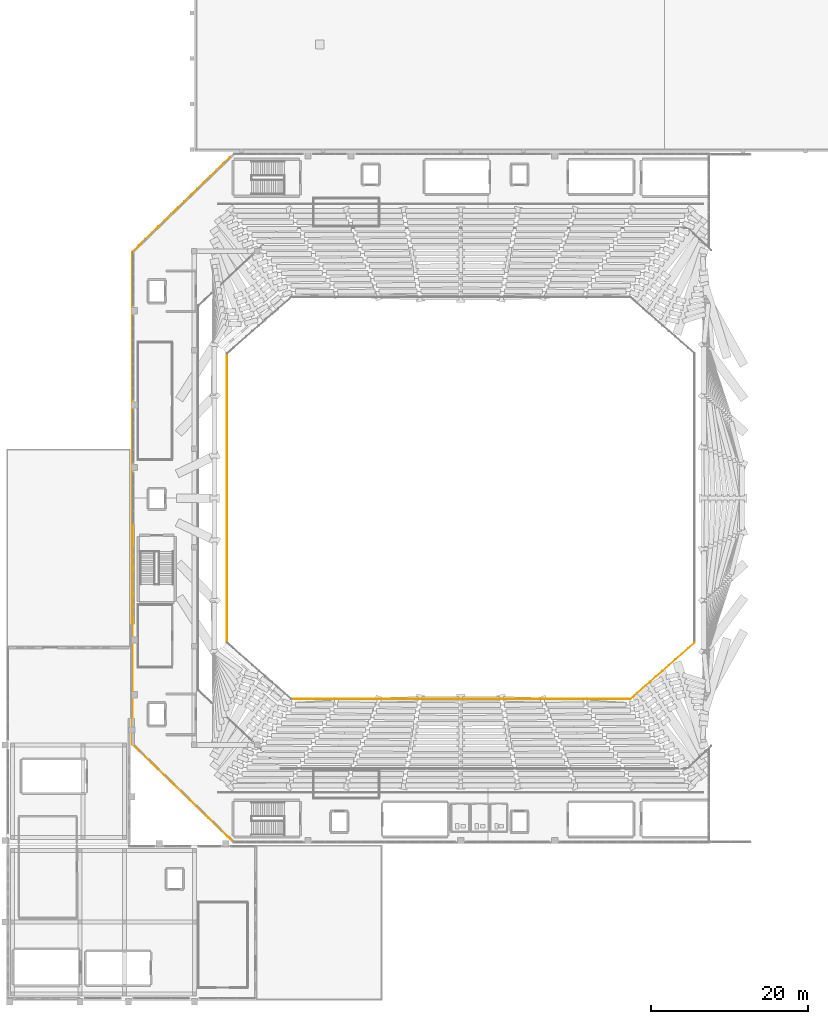
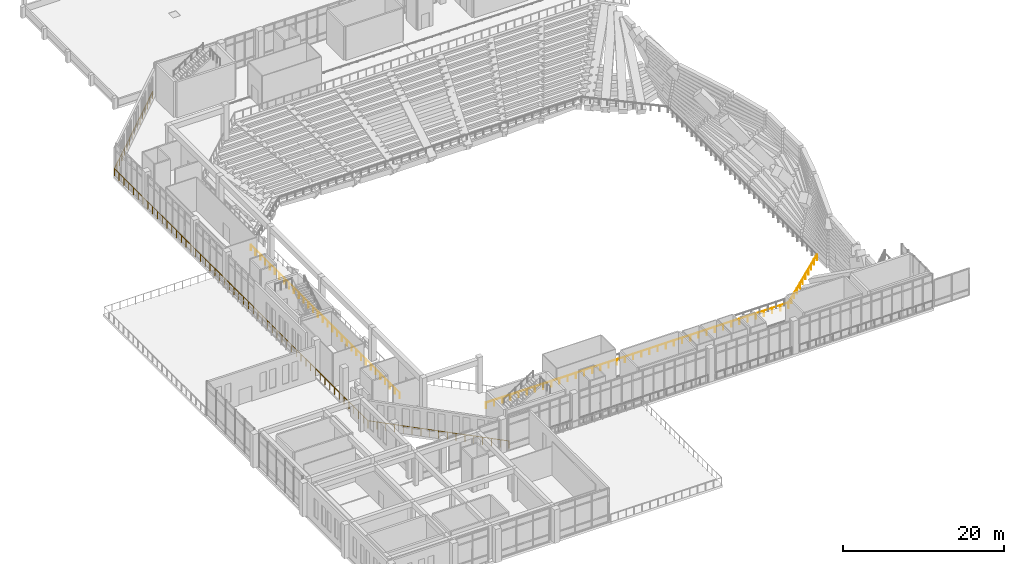
# One storey, part 52 of 55: 4 railings.
"""IFC4 building model written with IfcOpenShell, lengths in metres."""

from ifc_helpers import new_model, si_unit, derived_unit, direction, frame, origin, origin_2d, place, context, subcontext, project, spatial, circle, extrude, material, type_object, element, save


model = new_model("IFC4")

# Units and contexts
model_context = context("Model", 3, precision=1e-05, world=origin(), true_north=direction((0.0, 1.0)))
body_context = subcontext(model_context, "Body", "Model", "MODEL_VIEW")
ifc_project = project(units=[si_unit("LENGTHUNIT", "METRE"), si_unit("AREAUNIT", "SQUARE_METRE"), si_unit("VOLUMEUNIT", "CUBIC_METRE"), si_unit("PLANEANGLEUNIT", "RADIAN"), si_unit("MASSUNIT", "GRAM", prefix="KILO"), derived_unit("THERMALTRANSMITTANCEUNIT", [(si_unit("MASSUNIT", "GRAM", prefix="KILO"), 1), (si_unit("TIMEUNIT", "SECOND"), -3), (si_unit("THERMODYNAMICTEMPERATUREUNIT", "KELVIN"), -1)])], contexts=[model_context])

# Site, building, storey
site_placement = place(None, origin())
site = spatial("IfcSite", under=ifc_project, at=site_placement, CompositionType="ELEMENT")
building_placement = place(site_placement, origin())
building = spatial("IfcBuilding", under=site, at=building_placement, Name="Valcora Ridge Arena", CompositionType="ELEMENT")
storey_placement = place(building_placement, frame((0.0, 0.0, 21.0)))
storey = spatial("IfcBuildingStorey", under=building, at=storey_placement, Name="L04", CompositionType="ELEMENT", Elevation=21.0)

# Railings
ifc_material = material(Name="Galvanized painted steel ASTM A500 Grade B", Category="steel")
railing_type_1 = type_object("IfcRailingType", Name="TY-RAILING-BAL-BOWL-850", PredefinedType="BALUSTRADE", material=ifc_material)
railing_1_placement = place(storey_placement, frame((36.35009765625, 38.449951171875, -7.60009765625)))
element("IfcRailing", 1, at=railing_1_placement, inside=storey, type_object=railing_type_1, Name="BAL-BOWL-850 RAL-BW-0017", PredefinedType="BALUSTRADE", context=body_context, shape_type="SweptSolid", body=[
    extrude(circle(Radius=0.02392578125, at=origin_2d()), frame((0.0, 0.0, 0.826171875), z_axis=(1.0, 0.0, 0.0), x_axis=(0.0, 1.0, 0.0)), (0.0, 0.0, 1.0), 43.2998046875),
    extrude(circle(Radius=0.02099609375, at=origin_2d()), origin(), (0.0, 0.0, 1.0), 0.802001953125),
    extrude(circle(Radius=0.02099609375, at=origin_2d()), frame((1.170166015625, 0.0, 0.0)), (0.0, 0.0, 1.0), 0.802001953125),
    extrude(circle(Radius=0.02099609375, at=origin_2d()), frame((2.340576171875, 0.0, 0.0)), (0.0, 0.0, 1.0), 0.802001953125),
    extrude(circle(Radius=0.02099609375, at=origin_2d()), frame((3.5107421875, 0.0, 0.0)), (0.0, 0.0, 1.0), 0.802001953125),
    extrude(circle(Radius=0.02099609375, at=origin_2d()), frame((4.68115234375, 0.0, 0.0)), (0.0, 0.0, 1.0), 0.802001953125),
    extrude(circle(Radius=0.02099609375, at=origin_2d()), frame((5.851318359375, 0.0, 0.0)), (0.0, 0.0, 1.0), 0.802001953125),
    extrude(circle(Radius=0.02099609375, at=origin_2d()), frame((7.021484375, 0.0, 0.0)), (0.0, 0.0, 1.0), 0.802001953125),
    extrude(circle(Radius=0.02099609375, at=origin_2d()), frame((8.19189453125, 0.0, 0.0)), (0.0, 0.0, 1.0), 0.802001953125),
    extrude(circle(Radius=0.02099609375, at=origin_2d()), frame((9.362060546875, 0.0, 0.0)), (0.0, 0.0, 1.0), 0.802001953125),
    extrude(circle(Radius=0.02099609375, at=origin_2d()), frame((10.532470703125, 0.0, 0.0)), (0.0, 0.0, 1.0), 0.802001953125),
    extrude(circle(Radius=0.02099609375, at=origin_2d()), frame((11.70263671875, 0.0, 0.0)), (0.0, 0.0, 1.0), 0.802001953125),
    extrude(circle(Radius=0.02099609375, at=origin_2d()), frame((12.872802734375, 0.0, 0.0)), (0.0, 0.0, 1.0), 0.802001953125),
    extrude(circle(Radius=0.02099609375, at=origin_2d()), frame((14.043212890625, 0.0, 0.0)), (0.0, 0.0, 1.0), 0.802001953125),
    extrude(circle(Radius=0.02099609375, at=origin_2d()), frame((15.21337890625, 0.0, 0.0)), (0.0, 0.0, 1.0), 0.802001953125),
    extrude(circle(Radius=0.02099609375, at=origin_2d()), frame((16.3837890625, 0.0, 0.0)), (0.0, 0.0, 1.0), 0.802001953125),
    extrude(circle(Radius=0.02099609375, at=origin_2d()), frame((17.553955078125, 0.0, 0.0)), (0.0, 0.0, 1.0), 0.802001953125),
    extrude(circle(Radius=0.02099609375, at=origin_2d()), frame((18.72412109375, 0.0, 0.0)), (0.0, 0.0, 1.0), 0.802001953125),
    extrude(circle(Radius=0.02099609375, at=origin_2d()), frame((19.89453125, 0.0, 0.0)), (0.0, 0.0, 1.0), 0.802001953125),
    extrude(circle(Radius=0.02099609375, at=origin_2d()), frame((21.064697265625, 0.0, 0.0)), (0.0, 0.0, 1.0), 0.802001953125),
    extrude(circle(Radius=0.02099609375, at=origin_2d()), frame((22.235107421875, 0.0, 0.0)), (0.0, 0.0, 1.0), 0.802001953125),
    extrude(circle(Radius=0.02099609375, at=origin_2d()), frame((23.4052734375, 0.0, 0.0)), (0.0, 0.0, 1.0), 0.802001953125),
    extrude(circle(Radius=0.02099609375, at=origin_2d()), frame((24.57568359375, 0.0, 0.0)), (0.0, 0.0, 1.0), 0.802001953125),
    extrude(circle(Radius=0.02099609375, at=origin_2d()), frame((25.745849609375, 0.0, 0.0)), (0.0, 0.0, 1.0), 0.802001953125),
    extrude(circle(Radius=0.02099609375, at=origin_2d()), frame((26.916015625, 0.0, 0.0)), (0.0, 0.0, 1.0), 0.802001953125),
    extrude(circle(Radius=0.02099609375, at=origin_2d()), frame((28.08642578125, 0.0, 0.0)), (0.0, 0.0, 1.0), 0.802001953125),
    extrude(circle(Radius=0.02099609375, at=origin_2d()), frame((29.256591796875, 0.0, 0.0)), (0.0, 0.0, 1.0), 0.802001953125),
    extrude(circle(Radius=0.02099609375, at=origin_2d()), frame((30.427001953125, 0.0, 0.0)), (0.0, 0.0, 1.0), 0.802001953125),
    extrude(circle(Radius=0.02099609375, at=origin_2d()), frame((31.59716796875, 0.0, 0.0)), (0.0, 0.0, 1.0), 0.802001953125),
    extrude(circle(Radius=0.02099609375, at=origin_2d()), frame((32.767333984375, 0.0, 0.0)), (0.0, 0.0, 1.0), 0.802001953125),
    extrude(circle(Radius=0.02099609375, at=origin_2d()), frame((33.937744140625, 0.0, 0.0)), (0.0, 0.0, 1.0), 0.802001953125),
    extrude(circle(Radius=0.02099609375, at=origin_2d()), frame((35.10791015625, 0.0, 0.0)), (0.0, 0.0, 1.0), 0.802001953125),
    extrude(circle(Radius=0.02099609375, at=origin_2d()), frame((36.2783203125, 0.0, 0.0)), (0.0, 0.0, 1.0), 0.802001953125),
    extrude(circle(Radius=0.02099609375, at=origin_2d()), frame((37.448486328125, 0.0, 0.0)), (0.0, 0.0, 1.0), 0.802001953125),
    extrude(circle(Radius=0.02099609375, at=origin_2d()), frame((38.61865234375, 0.0, 0.0)), (0.0, 0.0, 1.0), 0.802001953125),
    extrude(circle(Radius=0.02099609375, at=origin_2d()), frame((39.7890625, 0.0, 0.0)), (0.0, 0.0, 1.0), 0.802001953125),
    extrude(circle(Radius=0.02099609375, at=origin_2d()), frame((40.959228515625, 0.0, 0.0)), (0.0, 0.0, 1.0), 0.802001953125),
    extrude(circle(Radius=0.02099609375, at=origin_2d()), frame((42.129638671875, 0.0, 0.0)), (0.0, 0.0, 1.0), 0.802001953125),
    extrude(circle(Radius=0.02099609375, at=origin_2d()), frame((43.2998046875, 0.0, 0.0)), (0.0, 0.0, 1.0), 0.802001953125),
])
railing_2_placement = place(storey_placement, frame((79.64990234375, 38.449951171875, -7.60009765625)))
element("IfcRailing", 2, at=railing_2_placement, inside=storey, type_object=railing_type_1, Name="BAL-BOWL-850 RAL-BW-0018", PredefinedType="BALUSTRADE", context=body_context, shape_type="SweptSolid", body=[
    extrude(circle(Radius=0.02392578125, at=origin_2d()), frame((0.0, 0.0, 0.826171875), z_axis=(0.751450235134, 0.659789772667, 0.0), x_axis=(-0.659789772667, 0.751450235134, 0.0)), (0.0, 0.0, 1.0), 10.91259765625),
    extrude(circle(Radius=0.02099609375, at=origin_2d()), origin(), (0.0, 0.0, 1.0), 0.802001953125),
    extrude(circle(Radius=0.02099609375, at=origin_2d()), frame((0.820068359375, 0.719970703125, 0.0)), (0.0, 0.0, 1.0), 0.802001953125),
    extrude(circle(Radius=0.02099609375, at=origin_2d()), frame((1.64013671875, 1.43994140625, 0.0)), (0.0, 0.0, 1.0), 0.802001953125),
    extrude(circle(Radius=0.02099609375, at=origin_2d()), frame((2.4599609375, 2.159912109375, 0.0)), (0.0, 0.0, 1.0), 0.802001953125),
    extrude(circle(Radius=0.02099609375, at=origin_2d()), frame((3.280029296875, 2.8798828125, 0.0)), (0.0, 0.0, 1.0), 0.802001953125),
    extrude(circle(Radius=0.02099609375, at=origin_2d()), frame((4.10009765625, 3.60009765625, 0.0)), (0.0, 0.0, 1.0), 0.802001953125),
    extrude(circle(Radius=0.02099609375, at=origin_2d()), frame((4.920166015625, 4.320068359375, 0.0)), (0.0, 0.0, 1.0), 0.802001953125),
    extrude(circle(Radius=0.02099609375, at=origin_2d()), frame((5.740234375, 5.0400390625, 0.0)), (0.0, 0.0, 1.0), 0.802001953125),
    extrude(circle(Radius=0.02099609375, at=origin_2d()), frame((6.56005859375, 5.760009765625, 0.0)), (0.0, 0.0, 1.0), 0.802001953125),
    extrude(circle(Radius=0.02099609375, at=origin_2d()), frame((7.380126953125, 6.47998046875, 0.0)), (0.0, 0.0, 1.0), 0.802001953125),
    extrude(circle(Radius=0.02099609375, at=origin_2d()), frame((8.2001953125, 7.199951171875, 0.0)), (0.0, 0.0, 1.0), 0.802001953125),
])
railing_3_placement = place(storey_placement, frame((28.14990234375, 82.550048828125, -7.60009765625)))
element("IfcRailing", 3, at=railing_3_placement, inside=storey, type_object=railing_type_1, Name="BAL-BOWL-850 RAL-BW-0023", PredefinedType="BALUSTRADE", context=body_context, shape_type="SweptSolid", body=[
    extrude(circle(Radius=0.02392578125, at=origin_2d()), frame((0.0, 0.0, 0.826171875), z_axis=(0.0, -1.0, 0.0), x_axis=(1.0, 0.0, 0.0)), (0.0, 0.0, 1.0), 36.900146484375),
    extrude(circle(Radius=0.02099609375, at=origin_2d()), origin(), (0.0, 0.0, 1.0), 0.802001953125),
    extrude(circle(Radius=0.02099609375, at=origin_2d()), frame((0.0, -1.1904296875, 0.0)), (0.0, 0.0, 1.0), 0.802001953125),
    extrude(circle(Radius=0.02099609375, at=origin_2d()), frame((0.0, -2.380615234375, 0.0)), (0.0, 0.0, 1.0), 0.802001953125),
    extrude(circle(Radius=0.02099609375, at=origin_2d()), frame((0.0, -3.571044921875, 0.0)), (0.0, 0.0, 1.0), 0.802001953125),
    extrude(circle(Radius=0.02099609375, at=origin_2d()), frame((0.0, -4.76123046875, 0.0)), (0.0, 0.0, 1.0), 0.802001953125),
    extrude(circle(Radius=0.02099609375, at=origin_2d()), frame((0.0, -5.95166015625, 0.0)), (0.0, 0.0, 1.0), 0.802001953125),
    extrude(circle(Radius=0.02099609375, at=origin_2d()), frame((0.0, -7.141845703125, 0.0)), (0.0, 0.0, 1.0), 0.802001953125),
    extrude(circle(Radius=0.02099609375, at=origin_2d()), frame((0.0, -8.332275390625, 0.0)), (0.0, 0.0, 1.0), 0.802001953125),
    extrude(circle(Radius=0.02099609375, at=origin_2d()), frame((0.0, -9.522705078125, 0.0)), (0.0, 0.0, 1.0), 0.802001953125),
    extrude(circle(Radius=0.02099609375, at=origin_2d()), frame((0.0, -10.712890625, 0.0)), (0.0, 0.0, 1.0), 0.802001953125),
    extrude(circle(Radius=0.02099609375, at=origin_2d()), frame((0.0, -11.9033203125, 0.0)), (0.0, 0.0, 1.0), 0.802001953125),
    extrude(circle(Radius=0.02099609375, at=origin_2d()), frame((0.0, -13.093505859375, 0.0)), (0.0, 0.0, 1.0), 0.802001953125),
    extrude(circle(Radius=0.02099609375, at=origin_2d()), frame((0.0, -14.283935546875, 0.0)), (0.0, 0.0, 1.0), 0.802001953125),
    extrude(circle(Radius=0.02099609375, at=origin_2d()), frame((0.0, -15.474365234375, 0.0)), (0.0, 0.0, 1.0), 0.802001953125),
    extrude(circle(Radius=0.02099609375, at=origin_2d()), frame((0.0, -16.66455078125, 0.0)), (0.0, 0.0, 1.0), 0.802001953125),
    extrude(circle(Radius=0.02099609375, at=origin_2d()), frame((0.0, -17.85498046875, 0.0)), (0.0, 0.0, 1.0), 0.802001953125),
    extrude(circle(Radius=0.02099609375, at=origin_2d()), frame((0.0, -19.045166015625, 0.0)), (0.0, 0.0, 1.0), 0.802001953125),
    extrude(circle(Radius=0.02099609375, at=origin_2d()), frame((0.0, -20.235595703125, 0.0)), (0.0, 0.0, 1.0), 0.802001953125),
    extrude(circle(Radius=0.02099609375, at=origin_2d()), frame((0.0, -21.42578125, 0.0)), (0.0, 0.0, 1.0), 0.802001953125),
    extrude(circle(Radius=0.02099609375, at=origin_2d()), frame((0.0, -22.6162109375, 0.0)), (0.0, 0.0, 1.0), 0.802001953125),
    extrude(circle(Radius=0.02099609375, at=origin_2d()), frame((0.0, -23.806640625, 0.0)), (0.0, 0.0, 1.0), 0.802001953125),
    extrude(circle(Radius=0.02099609375, at=origin_2d()), frame((0.0, -24.996826171875, 0.0)), (0.0, 0.0, 1.0), 0.802001953125),
    extrude(circle(Radius=0.02099609375, at=origin_2d()), frame((0.0, -26.187255859375, 0.0)), (0.0, 0.0, 1.0), 0.802001953125),
    extrude(circle(Radius=0.02099609375, at=origin_2d()), frame((0.0, -27.37744140625, 0.0)), (0.0, 0.0, 1.0), 0.802001953125),
    extrude(circle(Radius=0.02099609375, at=origin_2d()), frame((0.0, -28.56787109375, 0.0)), (0.0, 0.0, 1.0), 0.802001953125),
    extrude(circle(Radius=0.02099609375, at=origin_2d()), frame((0.0, -29.75830078125, 0.0)), (0.0, 0.0, 1.0), 0.802001953125),
    extrude(circle(Radius=0.02099609375, at=origin_2d()), frame((0.0, -30.948486328125, 0.0)), (0.0, 0.0, 1.0), 0.802001953125),
    extrude(circle(Radius=0.02099609375, at=origin_2d()), frame((0.0, -32.138916015625, 0.0)), (0.0, 0.0, 1.0), 0.802001953125),
    extrude(circle(Radius=0.02099609375, at=origin_2d()), frame((0.0, -33.3291015625, 0.0)), (0.0, 0.0, 1.0), 0.802001953125),
    extrude(circle(Radius=0.02099609375, at=origin_2d()), frame((0.0, -34.51953125, 0.0)), (0.0, 0.0, 1.0), 0.802001953125),
    extrude(circle(Radius=0.02099609375, at=origin_2d()), frame((0.0, -35.709716796875, 0.0)), (0.0, 0.0, 1.0), 0.802001953125),
    extrude(circle(Radius=0.02099609375, at=origin_2d()), frame((0.0, -36.900146484375, 0.0)), (0.0, 0.0, 1.0), 0.802001953125),
])
railing_type_2 = type_object("IfcRailingType", Name="TY-RAILING-GRD-VOID-1120", PredefinedType="GUARDRAIL", material=ifc_material)
railing_4_placement = place(storey_placement, frame((29.048583984375, 20.1201171875, 0.0)))
element("IfcRailing", 4, at=railing_4_placement, inside=storey, type_object=railing_type_2, Name="GRD-VOID-1120 RAL-DK-0013", PredefinedType="GUARDRAIL", context=body_context, shape_type="SweptSolid", body=[
    extrude(circle(Radius=0.02392578125, at=origin_2d()), frame((0.0, 0.0, 1.09619140625), z_axis=(-0.718065068839, 0.695975974379, 0.0), x_axis=(-0.695975974379, -0.718065068839, 0.0)), (0.0, 0.0, 1.0), 18.004638671875),
    extrude(circle(Radius=0.02392578125, at=origin_2d()), frame((-12.928466796875, 12.53076171875, 1.09619140625), z_axis=(0.0, 1.0, 0.0), x_axis=(-1.0, 0.0, 0.0)), (0.0, 0.0, 1.0), 62.8984375),
    extrude(circle(Radius=0.02392578125, at=origin_2d()), frame((-12.928466796875, 75.42919921875, 1.09619140625), z_axis=(0.718067783655, 0.695973173389, 0.0), x_axis=(-0.695973173389, 0.718067783655, 0.0)), (0.0, 0.0, 1.0), 17.31494140625),
    extrude(circle(Radius=0.02099609375, at=origin_2d()), origin(), (0.0, 0.0, 1.0), 1.072021484375),
    extrude(circle(Radius=0.02099609375, at=origin_2d()), frame((-0.80810546875, 0.783203125, 0.0)), (0.0, 0.0, 1.0), 1.072021484375),
    extrude(circle(Radius=0.02099609375, at=origin_2d()), frame((-1.615966796875, 1.56640625, 0.0)), (0.0, 0.0, 1.0), 1.072021484375),
    extrude(circle(Radius=0.02099609375, at=origin_2d()), frame((-2.424072265625, 2.349609375, 0.0)), (0.0, 0.0, 1.0), 1.072021484375),
    extrude(circle(Radius=0.02099609375, at=origin_2d()), frame((-3.232177734375, 3.1328125, 0.0)), (0.0, 0.0, 1.0), 1.072021484375),
    extrude(circle(Radius=0.02099609375, at=origin_2d()), frame((-4.0400390625, 3.915771484375, 0.0)), (0.0, 0.0, 1.0), 1.072021484375),
    extrude(circle(Radius=0.02099609375, at=origin_2d()), frame((-4.84814453125, 4.698974609375, 0.0)), (0.0, 0.0, 1.0), 1.072021484375),
    extrude(circle(Radius=0.02099609375, at=origin_2d()), frame((-5.65625, 5.482177734375, 0.0)), (0.0, 0.0, 1.0), 1.072021484375),
    extrude(circle(Radius=0.02099609375, at=origin_2d()), frame((-6.46435546875, 6.265380859375, 0.0)), (0.0, 0.0, 1.0), 1.072021484375),
    extrude(circle(Radius=0.02099609375, at=origin_2d()), frame((-7.272216796875, 7.048583984375, 0.0)), (0.0, 0.0, 1.0), 1.072021484375),
    extrude(circle(Radius=0.02099609375, at=origin_2d()), frame((-8.080322265625, 7.831787109375, 0.0)), (0.0, 0.0, 1.0), 1.072021484375),
    extrude(circle(Radius=0.02099609375, at=origin_2d()), frame((-8.888427734375, 8.614990234375, 0.0)), (0.0, 0.0, 1.0), 1.072021484375),
    extrude(circle(Radius=0.02099609375, at=origin_2d()), frame((-9.6962890625, 9.39794921875, 0.0)), (0.0, 0.0, 1.0), 1.072021484375),
    extrude(circle(Radius=0.02099609375, at=origin_2d()), frame((-10.50439453125, 10.18115234375, 0.0)), (0.0, 0.0, 1.0), 1.072021484375),
    extrude(circle(Radius=0.02099609375, at=origin_2d()), frame((-11.3125, 10.96435546875, 0.0)), (0.0, 0.0, 1.0), 1.072021484375),
    extrude(circle(Radius=0.02099609375, at=origin_2d()), frame((-12.120361328125, 11.74755859375, 0.0)), (0.0, 0.0, 1.0), 1.072021484375),
    extrude(circle(Radius=0.02099609375, at=origin_2d()), frame((-12.928466796875, 12.53076171875, 0.0)), (0.0, 0.0, 1.0), 1.072021484375),
    extrude(circle(Radius=0.02099609375, at=origin_2d()), frame((-12.928466796875, 13.717529296875, 0.0)), (0.0, 0.0, 1.0), 1.072021484375),
    extrude(circle(Radius=0.02099609375, at=origin_2d()), frame((-12.928466796875, 14.904296875, 0.0)), (0.0, 0.0, 1.0), 1.072021484375),
    extrude(circle(Radius=0.02099609375, at=origin_2d()), frame((-12.928466796875, 16.091064453125, 0.0)), (0.0, 0.0, 1.0), 1.072021484375),
    extrude(circle(Radius=0.02099609375, at=origin_2d()), frame((-12.928466796875, 17.27783203125, 0.0)), (0.0, 0.0, 1.0), 1.072021484375),
    extrude(circle(Radius=0.02099609375, at=origin_2d()), frame((-12.928466796875, 18.464599609375, 0.0)), (0.0, 0.0, 1.0), 1.072021484375),
    extrude(circle(Radius=0.02099609375, at=origin_2d()), frame((-12.928466796875, 19.6513671875, 0.0)), (0.0, 0.0, 1.0), 1.072021484375),
    extrude(circle(Radius=0.02099609375, at=origin_2d()), frame((-12.928466796875, 20.838134765625, 0.0)), (0.0, 0.0, 1.0), 1.072021484375),
    extrude(circle(Radius=0.02099609375, at=origin_2d()), frame((-12.928466796875, 22.02490234375, 0.0)), (0.0, 0.0, 1.0), 1.072021484375),
    extrude(circle(Radius=0.02099609375, at=origin_2d()), frame((-12.928466796875, 23.211669921875, 0.0)), (0.0, 0.0, 1.0), 1.072021484375),
    extrude(circle(Radius=0.02099609375, at=origin_2d()), frame((-12.928466796875, 24.3984375, 0.0)), (0.0, 0.0, 1.0), 1.072021484375),
    extrude(circle(Radius=0.02099609375, at=origin_2d()), frame((-12.928466796875, 25.585205078125, 0.0)), (0.0, 0.0, 1.0), 1.072021484375),
    extrude(circle(Radius=0.02099609375, at=origin_2d()), frame((-12.928466796875, 26.77197265625, 0.0)), (0.0, 0.0, 1.0), 1.072021484375),
    extrude(circle(Radius=0.02099609375, at=origin_2d()), frame((-12.928466796875, 27.958740234375, 0.0)), (0.0, 0.0, 1.0), 1.072021484375),
    extrude(circle(Radius=0.02099609375, at=origin_2d()), frame((-12.928466796875, 29.1455078125, 0.0)), (0.0, 0.0, 1.0), 1.072021484375),
    extrude(circle(Radius=0.02099609375, at=origin_2d()), frame((-12.928466796875, 30.332275390625, 0.0)), (0.0, 0.0, 1.0), 1.072021484375),
    extrude(circle(Radius=0.02099609375, at=origin_2d()), frame((-12.928466796875, 31.51904296875, 0.0)), (0.0, 0.0, 1.0), 1.072021484375),
    extrude(circle(Radius=0.02099609375, at=origin_2d()), frame((-12.928466796875, 32.705810546875, 0.0)), (0.0, 0.0, 1.0), 1.072021484375),
    extrude(circle(Radius=0.02099609375, at=origin_2d()), frame((-12.928466796875, 33.892578125, 0.0)), (0.0, 0.0, 1.0), 1.072021484375),
    extrude(circle(Radius=0.02099609375, at=origin_2d()), frame((-12.928466796875, 35.079345703125, 0.0)), (0.0, 0.0, 1.0), 1.072021484375),
    extrude(circle(Radius=0.02099609375, at=origin_2d()), frame((-12.928466796875, 36.26611328125, 0.0)), (0.0, 0.0, 1.0), 1.072021484375),
    extrude(circle(Radius=0.02099609375, at=origin_2d()), frame((-12.928466796875, 37.452880859375, 0.0)), (0.0, 0.0, 1.0), 1.072021484375),
    extrude(circle(Radius=0.02099609375, at=origin_2d()), frame((-12.928466796875, 38.6396484375, 0.0)), (0.0, 0.0, 1.0), 1.072021484375),
    extrude(circle(Radius=0.02099609375, at=origin_2d()), frame((-12.928466796875, 39.826416015625, 0.0)), (0.0, 0.0, 1.0), 1.072021484375),
    extrude(circle(Radius=0.02099609375, at=origin_2d()), frame((-12.928466796875, 41.01318359375, 0.0)), (0.0, 0.0, 1.0), 1.072021484375),
    extrude(circle(Radius=0.02099609375, at=origin_2d()), frame((-12.928466796875, 42.199951171875, 0.0)), (0.0, 0.0, 1.0), 1.072021484375),
    extrude(circle(Radius=0.02099609375, at=origin_2d()), frame((-12.928466796875, 43.38671875, 0.0)), (0.0, 0.0, 1.0), 1.072021484375),
    extrude(circle(Radius=0.02099609375, at=origin_2d()), frame((-12.928466796875, 44.5732421875, 0.0)), (0.0, 0.0, 1.0), 1.072021484375),
    extrude(circle(Radius=0.02099609375, at=origin_2d()), frame((-12.928466796875, 45.760009765625, 0.0)), (0.0, 0.0, 1.0), 1.072021484375),
    extrude(circle(Radius=0.02099609375, at=origin_2d()), frame((-12.928466796875, 46.94677734375, 0.0)), (0.0, 0.0, 1.0), 1.072021484375),
    extrude(circle(Radius=0.02099609375, at=origin_2d()), frame((-12.928466796875, 48.133544921875, 0.0)), (0.0, 0.0, 1.0), 1.072021484375),
    extrude(circle(Radius=0.02099609375, at=origin_2d()), frame((-12.928466796875, 49.3203125, 0.0)), (0.0, 0.0, 1.0), 1.072021484375),
    extrude(circle(Radius=0.02099609375, at=origin_2d()), frame((-12.928466796875, 50.507080078125, 0.0)), (0.0, 0.0, 1.0), 1.072021484375),
    extrude(circle(Radius=0.02099609375, at=origin_2d()), frame((-12.928466796875, 51.69384765625, 0.0)), (0.0, 0.0, 1.0), 1.072021484375),
    extrude(circle(Radius=0.02099609375, at=origin_2d()), frame((-12.928466796875, 52.880615234375, 0.0)), (0.0, 0.0, 1.0), 1.072021484375),
    extrude(circle(Radius=0.02099609375, at=origin_2d()), frame((-12.928466796875, 54.0673828125, 0.0)), (0.0, 0.0, 1.0), 1.072021484375),
    extrude(circle(Radius=0.02099609375, at=origin_2d()), frame((-12.928466796875, 55.254150390625, 0.0)), (0.0, 0.0, 1.0), 1.072021484375),
    extrude(circle(Radius=0.02099609375, at=origin_2d()), frame((-12.928466796875, 56.44091796875, 0.0)), (0.0, 0.0, 1.0), 1.072021484375),
    extrude(circle(Radius=0.02099609375, at=origin_2d()), frame((-12.928466796875, 57.627685546875, 0.0)), (0.0, 0.0, 1.0), 1.072021484375),
    extrude(circle(Radius=0.02099609375, at=origin_2d()), frame((-12.928466796875, 58.814453125, 0.0)), (0.0, 0.0, 1.0), 1.072021484375),
    extrude(circle(Radius=0.02099609375, at=origin_2d()), frame((-12.928466796875, 60.001220703125, 0.0)), (0.0, 0.0, 1.0), 1.072021484375),
    extrude(circle(Radius=0.02099609375, at=origin_2d()), frame((-12.928466796875, 61.18798828125, 0.0)), (0.0, 0.0, 1.0), 1.072021484375),
    extrude(circle(Radius=0.02099609375, at=origin_2d()), frame((-12.928466796875, 62.374755859375, 0.0)), (0.0, 0.0, 1.0), 1.072021484375),
    extrude(circle(Radius=0.02099609375, at=origin_2d()), frame((-12.928466796875, 63.5615234375, 0.0)), (0.0, 0.0, 1.0), 1.072021484375),
    extrude(circle(Radius=0.02099609375, at=origin_2d()), frame((-12.928466796875, 64.748291015625, 0.0)), (0.0, 0.0, 1.0), 1.072021484375),
    extrude(circle(Radius=0.02099609375, at=origin_2d()), frame((-12.928466796875, 65.93505859375, 0.0)), (0.0, 0.0, 1.0), 1.072021484375),
    extrude(circle(Radius=0.02099609375, at=origin_2d()), frame((-12.928466796875, 67.121826171875, 0.0)), (0.0, 0.0, 1.0), 1.072021484375),
    extrude(circle(Radius=0.02099609375, at=origin_2d()), frame((-12.928466796875, 68.30859375, 0.0)), (0.0, 0.0, 1.0), 1.072021484375),
    extrude(circle(Radius=0.02099609375, at=origin_2d()), frame((-12.928466796875, 69.495361328125, 0.0)), (0.0, 0.0, 1.0), 1.072021484375),
    extrude(circle(Radius=0.02099609375, at=origin_2d()), frame((-12.928466796875, 70.68212890625, 0.0)), (0.0, 0.0, 1.0), 1.072021484375),
    extrude(circle(Radius=0.02099609375, at=origin_2d()), frame((-12.928466796875, 71.868896484375, 0.0)), (0.0, 0.0, 1.0), 1.072021484375),
    extrude(circle(Radius=0.02099609375, at=origin_2d()), frame((-12.928466796875, 73.0556640625, 0.0)), (0.0, 0.0, 1.0), 1.072021484375),
    extrude(circle(Radius=0.02099609375, at=origin_2d()), frame((-12.928466796875, 74.242431640625, 0.0)), (0.0, 0.0, 1.0), 1.072021484375),
    extrude(circle(Radius=0.02099609375, at=origin_2d()), frame((-12.928466796875, 75.42919921875, 0.0)), (0.0, 0.0, 1.0), 1.072021484375),
    extrude(circle(Radius=0.02099609375, at=origin_2d()), frame((-12.099609375, 76.232666015625, 0.0)), (0.0, 0.0, 1.0), 1.072021484375),
    extrude(circle(Radius=0.02099609375, at=origin_2d()), frame((-11.270751953125, 77.035888671875, 0.0)), (0.0, 0.0, 1.0), 1.072021484375),
    extrude(circle(Radius=0.02099609375, at=origin_2d()), frame((-10.44189453125, 77.83935546875, 0.0)), (0.0, 0.0, 1.0), 1.072021484375),
    extrude(circle(Radius=0.02099609375, at=origin_2d()), frame((-9.61279296875, 78.642822265625, 0.0)), (0.0, 0.0, 1.0), 1.072021484375),
    extrude(circle(Radius=0.02099609375, at=origin_2d()), frame((-8.783935546875, 79.446044921875, 0.0)), (0.0, 0.0, 1.0), 1.072021484375),
    extrude(circle(Radius=0.02099609375, at=origin_2d()), frame((-7.955078125, 80.24951171875, 0.0)), (0.0, 0.0, 1.0), 1.072021484375),
    extrude(circle(Radius=0.02099609375, at=origin_2d()), frame((-7.126220703125, 81.052978515625, 0.0)), (0.0, 0.0, 1.0), 1.072021484375),
    extrude(circle(Radius=0.02099609375, at=origin_2d()), frame((-6.29736328125, 81.856201171875, 0.0)), (0.0, 0.0, 1.0), 1.072021484375),
    extrude(circle(Radius=0.02099609375, at=origin_2d()), frame((-5.468505859375, 82.65966796875, 0.0)), (0.0, 0.0, 1.0), 1.072021484375),
    extrude(circle(Radius=0.02099609375, at=origin_2d()), frame((-4.6396484375, 83.463134765625, 0.0)), (0.0, 0.0, 1.0), 1.072021484375),
    extrude(circle(Radius=0.02099609375, at=origin_2d()), frame((-3.810791015625, 84.266357421875, 0.0)), (0.0, 0.0, 1.0), 1.072021484375),
    extrude(circle(Radius=0.02099609375, at=origin_2d()), frame((-2.981689453125, 85.06982421875, 0.0)), (0.0, 0.0, 1.0), 1.072021484375),
    extrude(circle(Radius=0.02099609375, at=origin_2d()), frame((-2.15283203125, 85.873291015625, 0.0)), (0.0, 0.0, 1.0), 1.072021484375),
    extrude(circle(Radius=0.02099609375, at=origin_2d()), frame((-1.323974609375, 86.676513671875, 0.0)), (0.0, 0.0, 1.0), 1.072021484375),
    extrude(circle(Radius=0.02099609375, at=origin_2d()), frame((-0.4951171875, 87.47998046875, 0.0)), (0.0, 0.0, 1.0), 1.072021484375),
])

save(model, "model.ifc")
